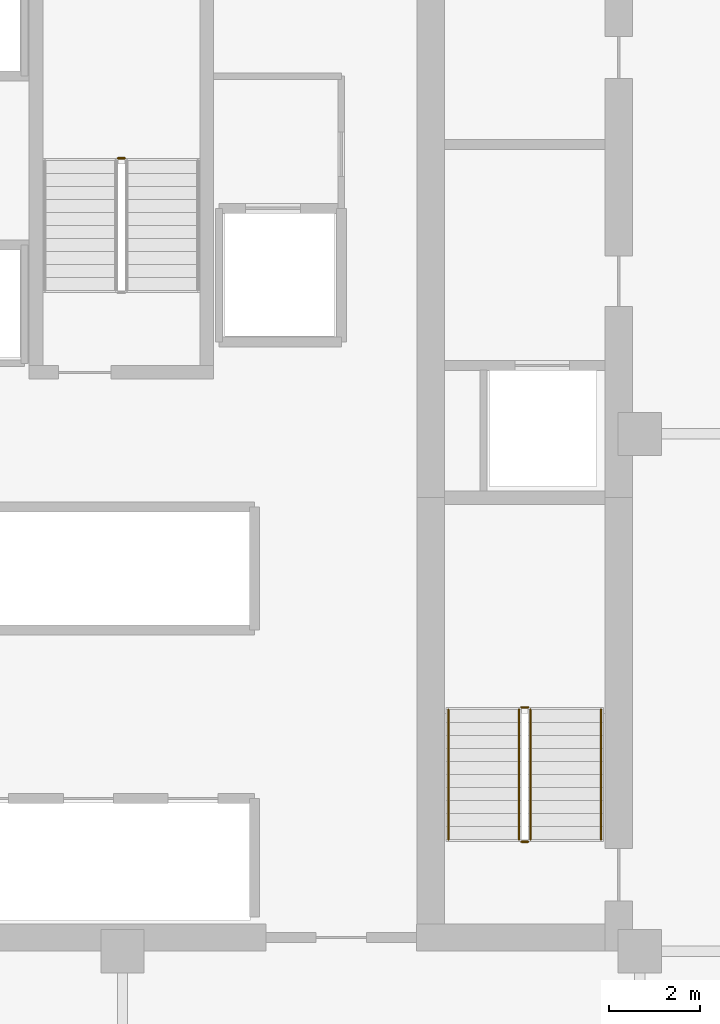
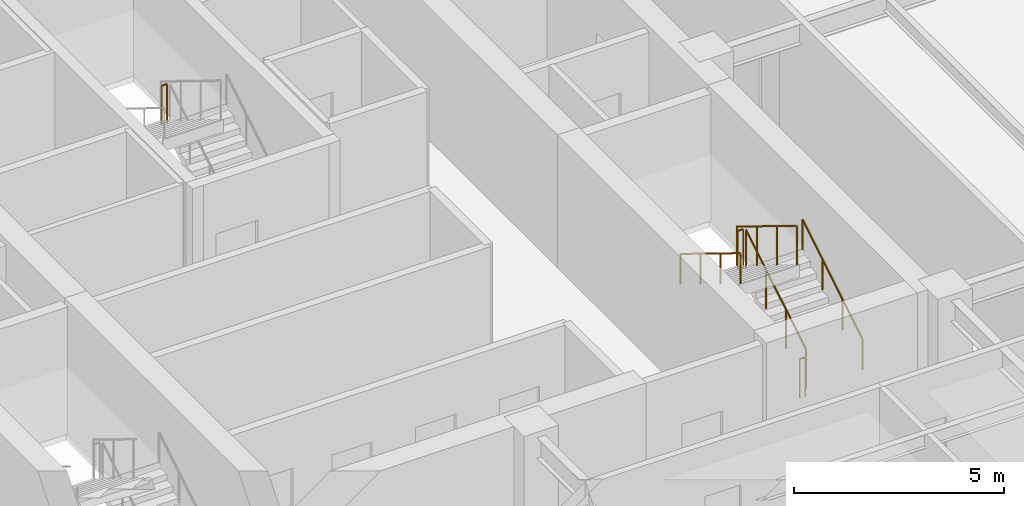
# One storey, part 9 of 9: 7 railings.
"""IFC4 building model written with IfcOpenShell, lengths in metres."""

from ifc_helpers import new_model, si_unit, direction, frame, origin, origin_2d, place, context, subcontext, project, spatial, circle, extrude, material, type_object, element, save


model = new_model("IFC4")

# Units and contexts
model_context = context("Model", 3, precision=1e-05, world=origin(), true_north=direction((0.0, 1.0)))
body_context = subcontext(model_context, "Body", "Model", "MODEL_VIEW")
ifc_project = project(units=[si_unit("LENGTHUNIT", "METRE"), si_unit("AREAUNIT", "SQUARE_METRE"), si_unit("VOLUMEUNIT", "CUBIC_METRE"), si_unit("PLANEANGLEUNIT", "RADIAN"), si_unit("MASSUNIT", "GRAM", prefix="KILO")], contexts=[model_context])

# Site, building, storey
site_placement = place(None, origin())
site = spatial("IfcSite", under=ifc_project, at=site_placement, CompositionType="ELEMENT")
building_placement = place(site_placement, origin())
building = spatial("IfcBuilding", under=site, at=building_placement, Name="Nhamokura Convention Tower", CompositionType="ELEMENT")
storey_placement = place(building_placement, frame((0.0, 0.0, 122.14990234375)))
storey = spatial("IfcBuildingStorey", under=building, at=storey_placement, Name="L29", CompositionType="ELEMENT", Elevation=122.14990234375)

# Railings
ifc_material_1 = material(Name="Anodised bronze stainless steel", Category="steel")
railing_type_1 = type_object("IfcRailingType", Name="StairWallHandrail_900", PredefinedType="HANDRAIL", material=ifc_material_1)
railing_1_placement = place(storey_placement, frame((42.5, 23.10009765625, 0.175048828125)))
element("IfcRailing", 1, at=railing_1_placement, inside=storey, type_object=railing_type_1, Name="L29 ST-02 stair handrail 1", PredefinedType="HANDRAIL", context=body_context, shape_type="SweptSolid", body=[
    extrude(circle(Radius=0.02392578125, at=origin_2d()), frame((0.0, 0.0, 0.8759765625), z_axis=(0.0, 0.852159232446, 0.523282564737), x_axis=(-1.0, 0.0, 0.0)), (0.0, 0.0, 1.0), 3.34423828125),
    extrude(circle(Radius=0.02099609375, at=origin_2d()), origin(), (0.0, 0.0, 1.0), 0.851806640625),
    extrude(circle(Radius=0.02099609375, at=origin_2d()), frame((0.0, 0.949951171875, 0.583251953125)), (0.0, 0.0, 1.0), 0.851806640625),
    extrude(circle(Radius=0.02099609375, at=origin_2d()), frame((0.0, 1.89990234375, 1.166748046875)), (0.0, 0.0, 1.0), 0.851806640625),
    extrude(circle(Radius=0.02099609375, at=origin_2d()), frame((0.0, 2.849853515625, 1.75)), (0.0, 0.0, 1.0), 0.851806640625),
])
railing_2_placement = place(storey_placement, frame((39.14990234375, 25.949951171875, 2.10009765625)))
element("IfcRailing", 2, at=railing_2_placement, inside=storey, type_object=railing_type_1, Name="L29 ST-02 stair handrail 2", PredefinedType="HANDRAIL", context=body_context, shape_type="SweptSolid", body=[
    extrude(circle(Radius=0.02392578125, at=origin_2d()), frame((0.0, 0.0, 0.8759765625), z_axis=(0.0, -0.852159232446, 0.523282564737), x_axis=(1.0, 0.0, 0.0)), (0.0, 0.0, 1.0), 3.34423828125),
    extrude(circle(Radius=0.02099609375, at=origin_2d()), origin(), (0.0, 0.0, 1.0), 0.851806640625),
    extrude(circle(Radius=0.02099609375, at=origin_2d()), frame((0.0, -0.949951171875, 0.583251953125)), (0.0, 0.0, 1.0), 0.851806640625),
    extrude(circle(Radius=0.02099609375, at=origin_2d()), frame((0.0, -1.89990234375, 1.166748046875)), (0.0, 0.0, 1.0), 0.851806640625),
    extrude(circle(Radius=0.02099609375, at=origin_2d()), frame((0.0, -2.849853515625, 1.75)), (0.0, 0.0, 1.0), 0.851806640625),
])
ifc_material_2 = material(Name="Painted tubular steel", Category="steel")
railing_type_2 = type_object("IfcRailingType", Name="StairWellGuardrail_1150", PredefinedType="GUARDRAIL", material=ifc_material_2)
railing_3_placement = place(storey_placement, frame((40.949951171875, 23.10009765625, 0.175048828125)))
element("IfcRailing", 3, at=railing_3_placement, inside=storey, type_object=railing_type_2, Name="L29 ST-02 stair guard 1", PredefinedType="GUARDRAIL", context=body_context, shape_type="SweptSolid", body=[
    extrude(circle(Radius=0.02392578125, at=origin_2d()), frame((0.0, 0.0, 1.1259765625), z_axis=(0.0, 0.852159232446, 0.523282564737), x_axis=(-1.0, 0.0, 0.0)), (0.0, 0.0, 1.0), 3.34423828125),
    extrude(circle(Radius=0.02099609375, at=origin_2d()), origin(), (0.0, 0.0, 1.0), 1.101806640625),
    extrude(circle(Radius=0.02099609375, at=origin_2d()), frame((0.0, 0.949951171875, 0.583251953125)), (0.0, 0.0, 1.0), 1.101806640625),
    extrude(circle(Radius=0.02099609375, at=origin_2d()), frame((0.0, 1.89990234375, 1.166748046875)), (0.0, 0.0, 1.0), 1.101806640625),
    extrude(circle(Radius=0.02099609375, at=origin_2d()), frame((0.0, 2.849853515625, 1.75)), (0.0, 0.0, 1.0), 1.101806640625),
])
railing_4_placement = place(storey_placement, frame((40.89990234375, 26.0, 1.925048828125)))
element("IfcRailing", 4, at=railing_4_placement, inside=storey, type_object=railing_type_2, Name="L29 ST-02 stair guard 2", PredefinedType="GUARDRAIL", context=body_context, shape_type="SweptSolid", body=[
    extrude(circle(Radius=0.02392578125, at=origin_2d()), frame((0.0, 0.0, 1.1259765625), z_axis=(-1.0, 0.0, 0.0), x_axis=(0.0, -1.0, 0.0)), (0.0, 0.0, 1.0), 0.14990234375),
    extrude(circle(Radius=0.02099609375, at=origin_2d()), origin(), (0.0, 0.0, 1.0), 1.101806640625),
    extrude(circle(Radius=0.02099609375, at=origin_2d()), frame((-0.14990234375, 0.0, 0.0)), (0.0, 0.0, 1.0), 1.101806640625),
])
railing_5_placement = place(storey_placement, frame((40.699951171875, 25.949951171875, 2.10009765625)))
element("IfcRailing", 5, at=railing_5_placement, inside=storey, type_object=railing_type_2, Name="L29 ST-02 stair guard 3", PredefinedType="GUARDRAIL", context=body_context, shape_type="SweptSolid", body=[
    extrude(circle(Radius=0.02392578125, at=origin_2d()), frame((0.0, 0.0, 1.1259765625), z_axis=(0.0, -0.852159232446, 0.523282564737), x_axis=(1.0, 0.0, 0.0)), (0.0, 0.0, 1.0), 3.34423828125),
    extrude(circle(Radius=0.02099609375, at=origin_2d()), origin(), (0.0, 0.0, 1.0), 1.101806640625),
    extrude(circle(Radius=0.02099609375, at=origin_2d()), frame((0.0, -0.949951171875, 0.583251953125)), (0.0, 0.0, 1.0), 1.101806640625),
    extrude(circle(Radius=0.02099609375, at=origin_2d()), frame((0.0, -1.89990234375, 1.166748046875)), (0.0, 0.0, 1.0), 1.101806640625),
    extrude(circle(Radius=0.02099609375, at=origin_2d()), frame((0.0, -2.849853515625, 1.75)), (0.0, 0.0, 1.0), 1.101806640625),
])
railing_6_placement = place(storey_placement, frame((40.89990234375, 23.050048828125, 0.0)))
element("IfcRailing", 6, at=railing_6_placement, inside=storey, type_object=railing_type_2, Name="L29 ST-02 stair guard 4", PredefinedType="GUARDRAIL", context=body_context, shape_type="SweptSolid", body=[
    extrude(circle(Radius=0.02392578125, at=origin_2d()), frame((0.0, 0.0, 1.1259765625), z_axis=(-1.0, 0.0, 0.0), x_axis=(0.0, -1.0, 0.0)), (0.0, 0.0, 1.0), 0.14990234375),
    extrude(circle(Radius=0.02099609375, at=origin_2d()), origin(), (0.0, 0.0, 1.0), 1.101806640625),
    extrude(circle(Radius=0.02099609375, at=origin_2d()), frame((-0.14990234375, 0.0, 0.0)), (0.0, 0.0, 1.0), 1.101806640625),
])
railing_7_placement = place(storey_placement, frame((32.050048828125, 38.050048828125, 1.925048828125)))
element("IfcRailing", 7, at=railing_7_placement, inside=storey, type_object=railing_type_2, Name="L29 ST-03 stair guard 2", PredefinedType="GUARDRAIL", context=body_context, shape_type="SweptSolid", body=[
    extrude(circle(Radius=0.02392578125, at=origin_2d()), frame((0.0, 0.0, 1.1259765625), z_axis=(-1.0, 0.0, 0.0), x_axis=(0.0, -1.0, 0.0)), (0.0, 0.0, 1.0), 0.150146484375),
    extrude(circle(Radius=0.02099609375, at=origin_2d()), origin(), (0.0, 0.0, 1.0), 1.101806640625),
    extrude(circle(Radius=0.02099609375, at=origin_2d()), frame((-0.150146484375, 0.0, 0.0)), (0.0, 0.0, 1.0), 1.101806640625),
])

save(model, "model.ifc")
